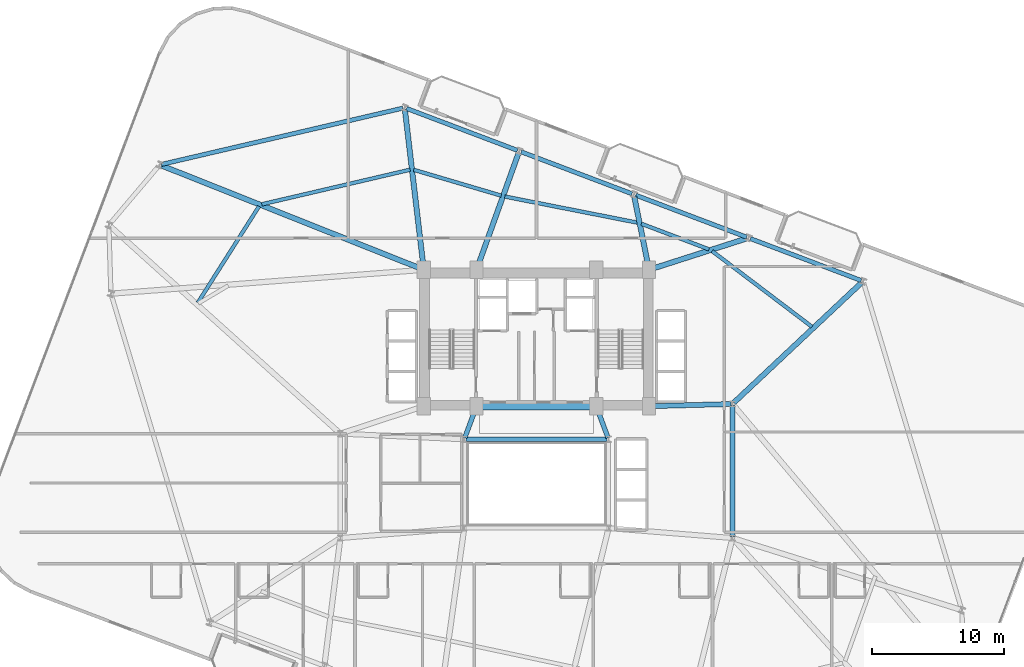
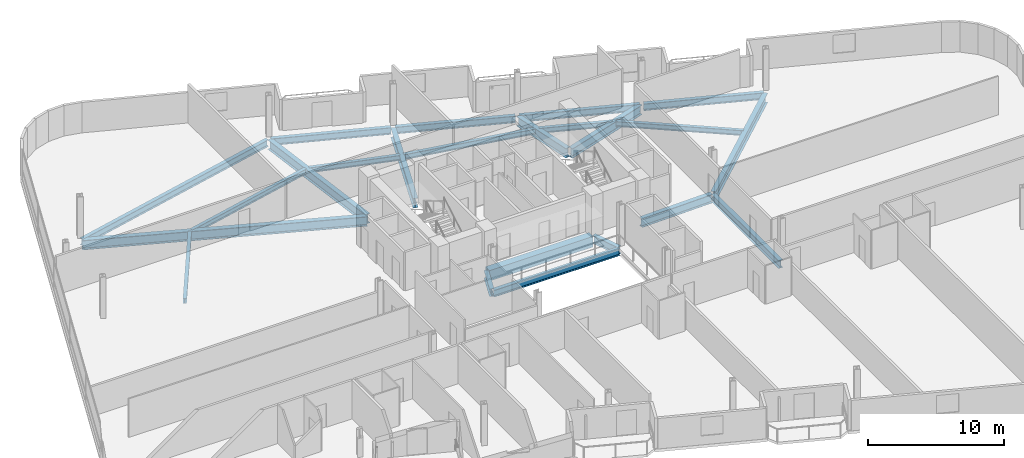
# One storey, part 9 of 25: 23 beams.
"""IFC4 building model written with IfcOpenShell, lengths in metres."""

from ifc_helpers import new_model, si_unit, direction, frame, origin, origin_2d, place, context, subcontext, project, spatial, rectangle, i_section, extrude, material, material_profile, profile_set, type_object, element, save


model = new_model("IFC4")

# Units and contexts
model_context = context("Model", 3, precision=1e-05, world=origin(), true_north=direction((0.0, 1.0)))
body_context = subcontext(model_context, "Body", "Model", "MODEL_VIEW")
ifc_project = project(units=[si_unit("LENGTHUNIT", "METRE"), si_unit("AREAUNIT", "SQUARE_METRE"), si_unit("VOLUMEUNIT", "CUBIC_METRE"), si_unit("PLANEANGLEUNIT", "RADIAN"), si_unit("MASSUNIT", "GRAM", prefix="KILO")], contexts=[model_context])

# Site, building, storey
site_placement = place(None, origin())
site = spatial("IfcSite", under=ifc_project, at=site_placement, CompositionType="ELEMENT")
building_placement = place(site_placement, origin())
building = spatial("IfcBuilding", under=site, at=building_placement, Name="Varnelok Gate Tower", CompositionType="ELEMENT")
storey_placement = place(building_placement, frame((0.0, 0.0, 79.89990234375)))
storey = spatial("IfcBuildingStorey", under=building, at=storey_placement, Name="L19", CompositionType="ELEMENT", Elevation=79.89990234375)

# Beams
ifc_material_1 = material(Name="Structural Steel ASTM A992 Grade 50", Category="steel")
ifc_material_profile_1 = material_profile(ifc_material_1, i_section(OverallWidth=0.280029296875, OverallDepth=0.462890625, WebThickness=0.0107421875, FlangeThickness=0.017333984375, FilletRadius=0.014892578125, at=origin_2d()), Name="W18X76")
ifc_profile_set_1 = profile_set([ifc_material_profile_1], Name="Structural Steel ASTM A992 Grade 50")
beam_type_1 = type_object("IfcBeamType", Name="BM-JST-W18X76", PredefinedType="JOIST", material=ifc_profile_set_1)
beam_1_placement = place(storey_placement, frame((60.0009765625, 34.748046875, -0.4814453125), z_axis=(-0.79692789386, 0.604074442423, 0.0), x_axis=(-0.604074442423, -0.79692789386, 0.0)))
element("IfcBeam", 1, at=beam_1_placement, inside=storey, type_object=beam_type_1, Name="L19 Sector Floor Joist 7", PredefinedType="JOIST", context=body_context, shape_type="SweptSolid", body=[
    extrude(i_section(OverallWidth=0.280029296875, OverallDepth=0.462890625, WebThickness=0.0107421875, FlangeThickness=0.017333984375, FilletRadius=0.014892578125, at=origin_2d()), origin(), (0.0, 0.0, 1.0), 9.4541015625),
])
beam_2_placement = place(storey_placement, frame((52.22412109375, 40.593017578125, -0.4814453125), z_axis=(-0.935220980755, 0.354064566365, 0.0), x_axis=(-0.354064566365, -0.935220980755, 0.0)))
element("IfcBeam", 2, at=beam_2_placement, inside=storey, type_object=beam_type_1, Name="L19 Sector Floor Joist 8", PredefinedType="JOIST", context=body_context, shape_type="SweptSolid", body=[
    extrude(i_section(OverallWidth=0.280029296875, OverallDepth=0.462890625, WebThickness=0.0107421875, FlangeThickness=0.017333984375, FilletRadius=0.014892578125, at=origin_2d()), origin(), (0.0, 0.0, 1.0), 5.454833984375),
])
beam_3_placement = place(storey_placement, frame((46.854248046875, 42.60107421875, -0.4814453125), z_axis=(-0.981158351335, 0.19320530429, 0.0), x_axis=(-0.19320530429, -0.981158351335, 0.0)))
element("IfcBeam", 3, at=beam_3_placement, inside=storey, type_object=beam_type_1, Name="L19 Sector Floor Joist 9", PredefinedType="JOIST", context=body_context, shape_type="SweptSolid", body=[
    extrude(i_section(OverallWidth=0.280029296875, OverallDepth=0.462890625, WebThickness=0.0107421875, FlangeThickness=0.017333984375, FilletRadius=0.014892578125, at=origin_2d()), origin(), (0.0, 0.0, 1.0), 10.22900390625),
])
beam_4_placement = place(storey_placement, frame((36.546142578125, 44.644287109375, -0.4814453125), z_axis=(-0.959055124107, 0.283219471303, 0.0), x_axis=(-0.283219471303, -0.959055124107, 0.0)))
element("IfcBeam", 4, at=beam_4_placement, inside=storey, type_object=beam_type_1, Name="L19 Sector Floor Joist 10", PredefinedType="JOIST", context=body_context, shape_type="SweptSolid", body=[
    extrude(i_section(OverallWidth=0.280029296875, OverallDepth=0.462890625, WebThickness=0.0107421875, FlangeThickness=0.017333984375, FilletRadius=0.014892578125, at=origin_2d()), origin(), (0.0, 0.0, 1.0), 6.88916015625),
])
beam_5_placement = place(storey_placement, frame((29.668212890625, 46.603515625, -0.4814453125), z_axis=(-0.973874887524, -0.227085233889, 0.0), x_axis=(0.227085233889, -0.973874887524, 0.0)))
element("IfcBeam", 5, at=beam_5_placement, inside=storey, type_object=beam_type_1, Name="L19 Sector Floor Joist 11", PredefinedType="JOIST", context=body_context, shape_type="SweptSolid", body=[
    extrude(i_section(OverallWidth=0.280029296875, OverallDepth=0.462890625, WebThickness=0.0107421875, FlangeThickness=0.017333984375, FilletRadius=0.014892578125, at=origin_2d()), origin(), (0.0, 0.0, 1.0), 11.492919921875),
])
beam_6_placement = place(storey_placement, frame((18.26416015625, 43.843505859375, -0.4814453125), z_axis=(-0.536093298617, -0.84415873814, 0.0), x_axis=(0.84415873814, -0.536093298617, 0.0)))
element("IfcBeam", 6, at=beam_6_placement, inside=storey, type_object=beam_type_1, Name="L19 Sector Floor Joist 12", PredefinedType="JOIST", context=body_context, shape_type="SweptSolid", body=[
    extrude(i_section(OverallWidth=0.280029296875, OverallDepth=0.462890625, WebThickness=0.0107421875, FlangeThickness=0.017333984375, FilletRadius=0.014892578125, at=origin_2d()), origin(), (0.0, 0.0, 1.0), 8.626220703125),
])
ifc_material_2 = material(Name="Concrete C60/75", Category="concrete")
ifc_material_profile_2 = material_profile(ifc_material_2, rectangle(XDim=0.60009765625, YDim=0.949951171875, at=origin_2d()), Name="RC950X600")
ifc_profile_set_2 = profile_set([ifc_material_profile_2], Name="Concrete C60/75")
beam_type_2 = type_object("IfcBeamType", Name="BM-LNT-RC950", PredefinedType="LINTEL", material=ifc_profile_set_2)
beam_7_placement = place(storey_placement, frame((34.800048828125, 28.75, -0.724853515625), z_axis=(1.0, 0.0, 0.0), x_axis=(0.0, 1.0, 0.0)))
element("IfcBeam", 7, at=beam_7_placement, inside=storey, type_object=beam_type_2, Name="L19 Core-Atrium Spine Beam 7", PredefinedType="LINTEL", context=body_context, shape_type="SweptSolid", body=[
    extrude(rectangle(XDim=0.60009765625, YDim=0.949951171875, at=origin_2d()), origin(), (0.0, 0.0, 1.0), 8.800048828125),
])
ifc_material_profile_3 = material_profile(ifc_material_1, i_section(OverallWidth=0.35498046875, OverallDepth=0.696044921875, WebThickness=0.015380859375, FlangeThickness=0.02490234375, FilletRadius=0.02001953125, at=origin_2d()), Name="W27X146")
ifc_profile_set_3 = profile_set([ifc_material_profile_3], Name="Structural Steel ASTM A992 Grade 50")
beam_type_3 = type_object("IfcBeamType", Name="BM-PRI-W27X146", PredefinedType="BEAM", material=ifc_profile_set_3)
for number, where, z_axis, x_axis, name in (
    (8, (33.791748046875, 26.362548828125, -0.597900390625), (0.348719329408, 0.937227202602, 0.0), (-0.937227202602, 0.348719329408, 0.0), "L19 Core-Atrium Spine Beam 12"),
    (9, (44.608154296875, 26.362548828125, -0.597900390625), (-0.348719329408, 0.937227202602, 0.0), (-0.937227202602, -0.348719329408, 0.0), "L19 Core-Atrium Spine Beam 13"),
):
    element("IfcBeam", number, at=place(storey_placement, frame(where, z_axis=z_axis, x_axis=x_axis)), inside=storey, type_object=beam_type_3, Name=name, PredefinedType="BEAM", context=body_context, shape_type="SweptSolid", body=[
        extrude(i_section(OverallWidth=0.35498046875, OverallDepth=0.696044921875, WebThickness=0.015380859375, FlangeThickness=0.02490234375, FilletRadius=0.02001953125, at=origin_2d()), origin(), (0.0, 0.0, 1.0), 2.42724609375),
    ])
beam_8_placement = place(storey_placement, frame((54.0, 18.919921875, -0.597900390625), z_axis=(0.0, 1.0, 0.0), x_axis=(-1.0, 0.0, 0.0)))
element("IfcBeam", 10, at=beam_8_placement, inside=storey, type_object=beam_type_3, Name="L19 Core-Atrium Spine Beam 20", PredefinedType="BEAM", context=body_context, shape_type="SweptSolid", body=[
    extrude(i_section(OverallWidth=0.35498046875, OverallDepth=0.696044921875, WebThickness=0.015380859375, FlangeThickness=0.02490234375, FilletRadius=0.02001953125, at=origin_2d()), origin(), (0.0, 0.0, 1.0), 9.880126953125),
])
ifc_material_profile_4 = material_profile(ifc_material_1, i_section(OverallWidth=0.381103515625, OverallDepth=0.77294921875, WebThickness=0.0166015625, FlangeThickness=0.027099609375, FilletRadius=0.02197265625, at=origin_2d()), Name="W30X173")
ifc_profile_set_4 = profile_set([ifc_material_profile_4], Name="Structural Steel ASTM A992 Grade 50")
beam_type_4 = type_object("IfcBeamType", Name="BM-PRI-W30X173", PredefinedType="BEAM", material=ifc_profile_set_4)
beam_9_placement = place(storey_placement, frame((47.820068359375, 28.753173828125, -0.636474609375), z_axis=(0.999635880609, 0.026983443053, 0.0), x_axis=(-0.026983443053, 0.999635880609, 0.0)))
element("IfcBeam", 11, at=beam_9_placement, inside=storey, type_object=beam_type_4, Name="L19 Core-Atrium Spine Beam 19", PredefinedType="BEAM", context=body_context, shape_type="SweptSolid", body=[
    extrude(i_section(OverallWidth=0.381103515625, OverallDepth=0.77294921875, WebThickness=0.0166015625, FlangeThickness=0.027099609375, FilletRadius=0.02197265625, at=origin_2d()), origin(), (0.0, 0.0, 1.0), 6.06201171875),
])
ifc_material_profile_5 = material_profile(ifc_material_1, i_section(OverallWidth=0.39892578125, OverallDepth=0.85498046875, WebThickness=0.018310546875, FlangeThickness=0.029296875, FilletRadius=0.02392578125, at=origin_2d()), Name="W33X201")
ifc_profile_set_5 = profile_set([ifc_material_profile_5], Name="Structural Steel ASTM A992 Grade 50")
beam_type_5 = type_object("IfcBeamType", Name="BM-PRI-W33X201", PredefinedType="BEAM", material=ifc_profile_set_5)
beam_10_placement = place(storey_placement, frame((54.109375, 29.022705078125, -0.677490234375), z_axis=(0.728763782129, 0.684765178624, 0.0), x_axis=(-0.684765178624, 0.728763782129, 0.0)))
element("IfcBeam", 12, at=beam_10_placement, inside=storey, type_object=beam_type_5, Name="L19 Radial Floor Girder 9", PredefinedType="BEAM", context=body_context, shape_type="SweptSolid", body=[
    extrude(i_section(OverallWidth=0.39892578125, OverallDepth=0.85498046875, WebThickness=0.018310546875, FlangeThickness=0.029296875, FilletRadius=0.02392578125, at=origin_2d()), origin(), (0.0, 0.0, 1.0), 13.228515625),
])
beam_11_placement = place(storey_placement, frame((47.8427734375, 39.095703125, -0.677490234375), z_axis=(0.952189173648, 0.305509046656, 0.0), x_axis=(-0.305509046656, 0.952189173648, 0.0)))
element("IfcBeam", 13, at=beam_11_placement, inside=storey, type_object=beam_type_5, Name="L19 Radial Floor Girder 10", PredefinedType="BEAM", context=body_context, shape_type="SweptSolid", body=[
    extrude(i_section(OverallWidth=0.39892578125, OverallDepth=0.85498046875, WebThickness=0.018310546875, FlangeThickness=0.029296875, FilletRadius=0.02392578125, at=origin_2d()), origin(), (0.0, 0.0, 1.0), 7.585205078125),
])
beam_12_placement = place(storey_placement, frame((47.67041015625, 39.197021484375, -0.677490234375), z_axis=(-0.19708105208, 0.980387198463, 0.0), x_axis=(-0.980387198463, -0.19708105208, 0.0)))
element("IfcBeam", 14, at=beam_12_placement, inside=storey, type_object=beam_type_5, Name="L19 Radial Floor Girder 11", PredefinedType="BEAM", context=body_context, shape_type="SweptSolid", body=[
    extrude(i_section(OverallWidth=0.39892578125, OverallDepth=0.85498046875, WebThickness=0.018310546875, FlangeThickness=0.029296875, FilletRadius=0.02392578125, at=origin_2d()), origin(), (0.0, 0.0, 1.0), 5.497802734375),
])
beam_13_placement = place(storey_placement, frame((34.730712890625, 39.191162109375, -0.677490234375), z_axis=(0.338850703631, 0.940840156801, 0.0), x_axis=(-0.940840156801, 0.338850703631, 0.0)))
element("IfcBeam", 15, at=beam_13_placement, inside=storey, type_object=beam_type_5, Name="L19 Radial Floor Girder 12", PredefinedType="BEAM", context=body_context, shape_type="SweptSolid", body=[
    extrude(i_section(OverallWidth=0.39892578125, OverallDepth=0.85498046875, WebThickness=0.018310546875, FlangeThickness=0.029296875, FilletRadius=0.02392578125, at=origin_2d()), origin(), (0.0, 0.0, 1.0), 9.222412109375),
])
beam_14_placement = place(storey_placement, frame((30.682373046875, 39.198974609375, -0.677490234375), z_axis=(-0.117226632165, 0.993105189147, 0.0), x_axis=(-0.993105189147, -0.117226632165, 0.0)))
element("IfcBeam", 16, at=beam_14_placement, inside=storey, type_object=beam_type_5, Name="L19 Radial Floor Girder 13", PredefinedType="BEAM", context=body_context, shape_type="SweptSolid", body=[
    extrude(i_section(OverallWidth=0.39892578125, OverallDepth=0.85498046875, WebThickness=0.018310546875, FlangeThickness=0.029296875, FilletRadius=0.02392578125, at=origin_2d()), origin(), (0.0, 0.0, 1.0), 12.018798828125),
])
beam_15_placement = place(storey_placement, frame((30.560546875, 39.10546875, -0.677490234375), z_axis=(-0.929316441243, 0.369284378271, 0.0), x_axis=(-0.369284378271, -0.929316441243, 0.0)))
element("IfcBeam", 17, at=beam_15_placement, inside=storey, type_object=beam_type_5, Name="L19 Radial Floor Girder 14", PredefinedType="BEAM", context=body_context, shape_type="SweptSolid", body=[
    extrude(i_section(OverallWidth=0.39892578125, OverallDepth=0.85498046875, WebThickness=0.018310546875, FlangeThickness=0.029296875, FilletRadius=0.02392578125, at=origin_2d()), origin(), (0.0, 0.0, 1.0), 21.153076171875),
])
ifc_material_profile_6 = material_profile(ifc_material_1, i_section(OverallWidth=0.323974609375, OverallDepth=0.611083984375, WebThickness=0.0126953125, FlangeThickness=0.01904296875, FilletRadius=0.01806640625, at=origin_2d()), Name="W24X104")
ifc_profile_set_6 = profile_set([ifc_material_profile_6], Name="Structural Steel ASTM A992 Grade 50")
beam_type_6 = type_object("IfcBeamType", Name="BM-SPN-W24X104", PredefinedType="SPANDREL", material=ifc_profile_set_6)
beam_16_placement = place(storey_placement, frame((33.8701171875, 26.25, -0.555419921875), z_axis=(1.0, 0.0, 0.0), x_axis=(0.0, 1.0, 0.0)))
element("IfcBeam", 18, at=beam_16_placement, inside=storey, type_object=beam_type_6, Name="L19 Core-Atrium Spine Beam 9", PredefinedType="SPANDREL", context=body_context, shape_type="SweptSolid", body=[
    extrude(i_section(OverallWidth=0.323974609375, OverallDepth=0.611083984375, WebThickness=0.0126953125, FlangeThickness=0.01904296875, FilletRadius=0.01806640625, at=origin_2d()), origin(), (0.0, 0.0, 1.0), 10.659912109375),
])
beam_17_placement = place(storey_placement, frame((63.71875, 38.23681640625, -0.555419921875), z_axis=(-0.935220356141, 0.354066216208, 0.0), x_axis=(-0.354066216208, -0.935220356141, 0.0)))
element("IfcBeam", 19, at=beam_17_placement, inside=storey, type_object=beam_type_6, Name="L19 Perimeter Spandrel Beam 9", PredefinedType="SPANDREL", context=body_context, shape_type="SweptSolid", body=[
    extrude(i_section(OverallWidth=0.323974609375, OverallDepth=0.611083984375, WebThickness=0.0126953125, FlangeThickness=0.01904296875, FilletRadius=0.01806640625, at=origin_2d()), origin(), (0.0, 0.0, 1.0), 8.9501953125),
])
for number, where, z_axis, x_axis, name in (
    (20, (55.06787109375, 41.511962890625, -0.555419921875), (-0.935216936382, 0.354075248928, 0.0), (-0.354075248928, -0.935216936382, 0.0), "L19 Perimeter Spandrel Beam 10"),
    (21, (46.4169921875, 44.787109375, -0.555419921875), (-0.935225969099, 0.354051389947, 0.0), (-0.354051389947, -0.935225969099, 0.0), "L19 Perimeter Spandrel Beam 11"),
):
    element("IfcBeam", number, at=place(storey_placement, frame(where, z_axis=z_axis, x_axis=x_axis)), inside=storey, type_object=beam_type_6, Name=name, PredefinedType="SPANDREL", context=body_context, shape_type="SweptSolid", body=[
        extrude(i_section(OverallWidth=0.323974609375, OverallDepth=0.611083984375, WebThickness=0.0126953125, FlangeThickness=0.01904296875, FilletRadius=0.01806640625, at=origin_2d()), origin(), (0.0, 0.0, 1.0), 8.949951171875),
    ])
beam_18_placement = place(storey_placement, frame((37.766357421875, 48.06201171875, -0.555419921875), z_axis=(-0.935220356141, 0.354066216208, 0.0), x_axis=(-0.354066216208, -0.935220356141, 0.0)))
element("IfcBeam", 22, at=beam_18_placement, inside=storey, type_object=beam_type_6, Name="L19 Perimeter Spandrel Beam 12", PredefinedType="SPANDREL", context=body_context, shape_type="SweptSolid", body=[
    extrude(i_section(OverallWidth=0.323974609375, OverallDepth=0.611083984375, WebThickness=0.0126953125, FlangeThickness=0.01904296875, FilletRadius=0.01806640625, at=origin_2d()), origin(), (0.0, 0.0, 1.0), 8.9501953125),
])
beam_19_placement = place(storey_placement, frame((29.109619140625, 51.25, -0.555419921875), z_axis=(-0.973877429001, -0.227074334266, 0.0), x_axis=(0.227074334266, -0.973877429001, 0.0)))
element("IfcBeam", 23, at=beam_19_placement, inside=storey, type_object=beam_type_6, Name="L19 Perimeter Spandrel Beam 13", PredefinedType="SPANDREL", context=body_context, shape_type="SweptSolid", body=[
    extrude(i_section(OverallWidth=0.323974609375, OverallDepth=0.611083984375, WebThickness=0.0126953125, FlangeThickness=0.01904296875, FilletRadius=0.01806640625, at=origin_2d()), origin(), (0.0, 0.0, 1.0), 18.6884765625),
])

save(model, "model.ifc")
